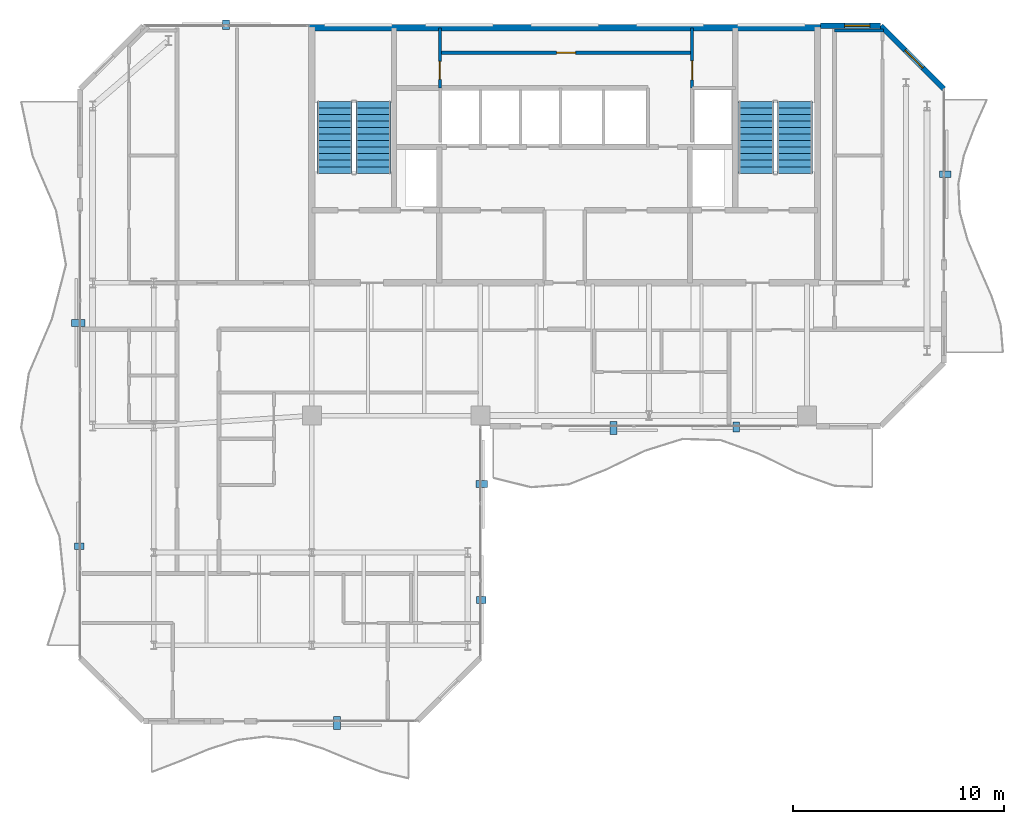
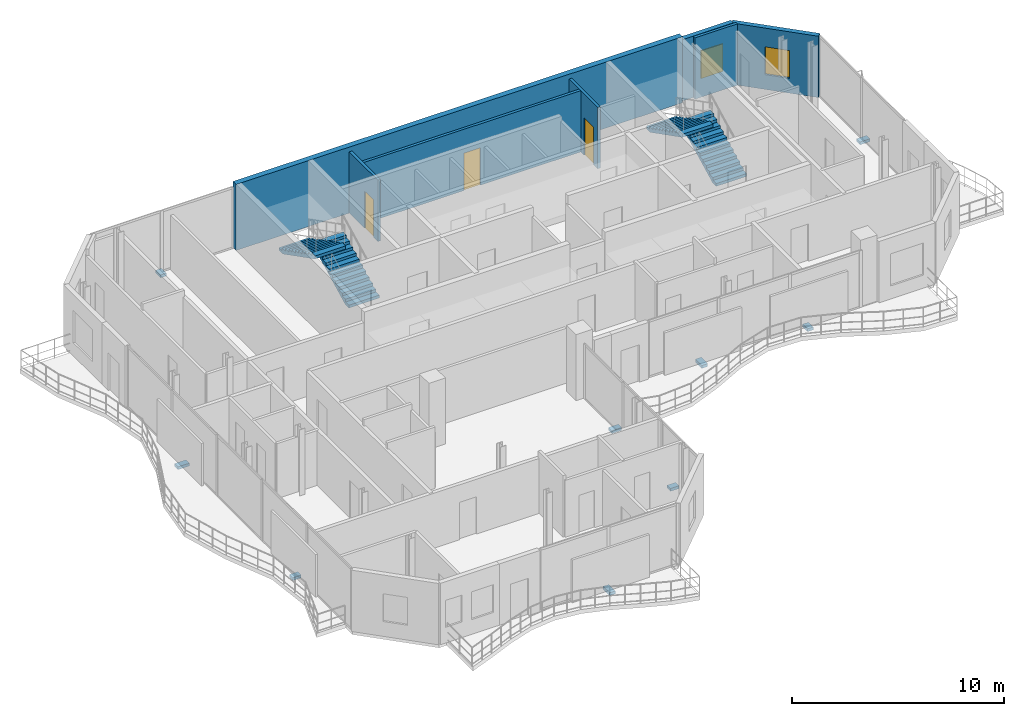
# One storey, part 20 of 23: 9 discrete accessories, 7 walls, 4 stair flights, 3 doors, 2 windows, 5 openings, 2 elements without a shape of their own.
"""IFC4 building model written with IfcOpenShell, lengths in metres."""

from ifc_helpers import new_model, si_unit, direction, frame, frame_2d, origin, origin_2d, place, context, subcontext, project, spatial, polyline, rectangle, outline, extrude, material, layer, layer_set, type_object, element, fill, aggregate, save


model = new_model("IFC4")

# Units and contexts
model_context = context("Model", 3, precision=1e-05, world=origin(), true_north=direction((0.0, 1.0)))
body_context = subcontext(model_context, "Body", "Model", "MODEL_VIEW")
ifc_project = project(units=[si_unit("LENGTHUNIT", "METRE"), si_unit("AREAUNIT", "SQUARE_METRE"), si_unit("VOLUMEUNIT", "CUBIC_METRE"), si_unit("PLANEANGLEUNIT", "RADIAN"), si_unit("MASSUNIT", "GRAM", prefix="KILO")], contexts=[model_context])

# Site, building, storey
site_placement = place(None, origin())
site = spatial("IfcSite", under=ifc_project, at=site_placement, CompositionType="ELEMENT")
building_placement = place(site_placement, origin())
building = spatial("IfcBuilding", under=site, at=building_placement, Name="Catumbela Crestline Tower", CompositionType="ELEMENT")
storey_placement = place(building_placement, frame((0.0, 0.0, 241.2)))
storey = spatial("IfcBuildingStorey", under=building, at=storey_placement, Name="L62", CompositionType="ELEMENT", Elevation=241.2)

# Wall
ifc_material_1 = material(Name="Concrete C45/55", Category="concrete")
ifc_layer_1 = layer(ifc_material_1, 0.3, Name="Concrete C45/55")
ifc_layer_set_1 = layer_set([ifc_layer_1], Name="Concrete C45/55")
wall_type_1 = type_object("IfcWallType", Name="CW-300E", PredefinedType="SHEAR", material=ifc_layer_set_1)
wall_1_placement = place(storey_placement, frame((15.85, 42.9, 0.0), z_axis=(0.0, 0.0, 1.0), x_axis=(1.0, 0.0, 0.0)))
element("IfcWall", 1, at=wall_1_placement, inside=storey, type_object=wall_type_1, Name="L62 Structural Core Shear Wall N", PredefinedType="SHEAR", context=body_context, shape_type="SweptSolid", body=[
    extrude(rectangle(XDim=24.3, YDim=0.3, at=frame_2d((12.15, 0.0))), origin(), (0.0, 0.0, 1.0), 3.8),
])

# Wall, opening, window
ifc_material_2 = material(Name="Angolan grey-ochre granite", Category="masonry")
ifc_layer_2 = layer(ifc_material_2, 0.25, Name="Angolan grey-ochre granite")
ifc_layer_set_2 = layer_set([ifc_layer_2], Name="Angolan grey-ochre granite")
wall_type_2 = type_object("IfcWallType", Name="WE-250", PredefinedType="STANDARD", material=ifc_layer_set_2)
wall_2_placement = place(storey_placement, frame((46.0, 40.0, 0.0), z_axis=(0.0, 0.0, 1.0), x_axis=(-0.707106781187, 0.707106781187, 0.0)))
wall_2 = element("IfcWall", 2, at=wall_2_placement, inside=storey, type_object=wall_type_2, Name="L62 Granite Punched Window Wall 6-1", PredefinedType="STANDARD", context=body_context, shape_type="SweptSolid", body=[
    extrude(rectangle(XDim=4.2426, YDim=0.25, at=frame_2d((2.1213, 0.0))), origin(), (0.0, 0.0, 1.0), 3.53),
])
opening_1_placement = place(wall_2_placement, frame((1.4111, 0.0, 0.85)))
opening_1 = element("IfcOpeningElement", 3, at=opening_1_placement, cuts=wall_2, Name="Opening WN-02", PredefinedType="OPENING", context=body_context, shape_type="SweptSolid", body=[
    extrude(rectangle(XDim=1.2, YDim=1.6, at=frame_2d((0.6, 0.8))), frame((0.0, 0.135, 0.0), z_axis=(0.0, -1.0, 0.0), x_axis=(1.0, 0.0, 0.0)), (0.0, 0.0, 1.0), 0.27),
])
ifc_material_3 = material(Name="Low-E laminated solar-control double glazing", Category="glass")
window_type = type_object("IfcWindowType", Name="WO-1200", PartitioningType="SINGLE_PANEL", PredefinedType="WINDOW", material=ifc_material_3)
window_1_placement = place(opening_1_placement, origin())
window_1 = element("IfcWindow", 4, at=window_1_placement, inside=storey, type_object=window_type, Name="L62 Facade Vision Window 460", OverallHeight=1.6, OverallWidth=1.2, PartitioningType="SINGLE_PANEL", PredefinedType="WINDOW", context=body_context, shape_type="SweptSolid", body=[
    extrude(rectangle(XDim=1.2, YDim=1.6, at=frame_2d((0.6, 0.8))), frame((0.0, 0.03, 0.0), z_axis=(0.0, -1.0, 0.0), x_axis=(1.0, 0.0, 0.0)), (0.0, 0.0, 1.0), 0.06),
])
fill(opening_1, window_1)

wall_3_placement = place(storey_placement, frame((43.0, 43.0, 0.0), z_axis=(0.0, 0.0, 1.0), x_axis=(-1.0, 0.0, 0.0)))
wall_3 = element("IfcWall", 5, at=wall_3_placement, inside=storey, type_object=wall_type_2, Name="L62 Granite Punched Window Wall 7-1", PredefinedType="STANDARD", context=body_context, shape_type="SweptSolid", body=[
    extrude(rectangle(XDim=2.86, YDim=0.25, at=frame_2d((1.43, 0.0))), origin(), (0.0, 0.0, 1.0), 3.53),
])
opening_2_placement = place(wall_3_placement, frame((0.51, 0.0, 0.85)))
opening_2 = element("IfcOpeningElement", 6, at=opening_2_placement, cuts=wall_3, Name="Opening WN-02", PredefinedType="OPENING", context=body_context, shape_type="SweptSolid", body=[
    extrude(rectangle(XDim=1.2, YDim=1.6, at=frame_2d((0.6, 0.8))), frame((0.0, 0.135, 0.0), z_axis=(0.0, -1.0, 0.0), x_axis=(1.0, 0.0, 0.0)), (0.0, 0.0, 1.0), 0.27),
])
window_2_placement = place(opening_2_placement, origin())
window_2 = element("IfcWindow", 7, at=window_2_placement, inside=storey, type_object=window_type, Name="L62 Facade Vision Window 461", OverallHeight=1.6, OverallWidth=1.2, PartitioningType="SINGLE_PANEL", PredefinedType="WINDOW", context=body_context, shape_type="SweptSolid", body=[
    extrude(rectangle(XDim=1.2, YDim=1.6, at=frame_2d((0.6, 0.8))), frame((0.0, 0.03, 0.0), z_axis=(0.0, -1.0, 0.0), x_axis=(1.0, 0.0, 0.0)), (0.0, 0.0, 1.0), 0.06),
])
fill(opening_2, window_2)

# Wall, opening, door
ifc_material_4 = material(Name="Acoustic gypsum and mineral-wool partition")
ifc_layer_3 = layer(ifc_material_4, 0.15, Name="Acoustic gypsum and mineral-wool partition")
ifc_layer_set_3 = layer_set([ifc_layer_3], Name="Acoustic gypsum and mineral-wool partition")
wall_type_3 = type_object("IfcWallType", Name="WP-150", PredefinedType="PARTITIONING", material=ifc_layer_set_3)
wall_4_placement = place(storey_placement, frame((34.05, 40.05, 0.0), z_axis=(0.0, 0.0, 1.0), x_axis=(0.0, 1.0, 0.0)))
wall_4 = element("IfcWall", 8, at=wall_4_placement, inside=storey, type_object=wall_type_3, Name="L62 Interior Partition PW-L62-CR-EW", PredefinedType="PARTITIONING", context=body_context, shape_type="SweptSolid", body=[
    extrude(rectangle(XDim=2.85, YDim=0.15, at=frame_2d((1.425, 0.0))), origin(), (0.0, 0.0, 1.0), 3.53),
])
opening_3_placement = place(wall_4_placement, frame((0.385, 0.0, 0.0)))
opening_3 = element("IfcOpeningElement", 9, at=opening_3_placement, cuts=wall_4, Name="Opening DF9-090", PredefinedType="OPENING", context=body_context, shape_type="SweptSolid", body=[
    extrude(rectangle(XDim=0.9, YDim=2.15, at=frame_2d((0.45, 1.075))), frame((0.0, 0.085, 0.0), z_axis=(0.0, -1.0, 0.0), x_axis=(1.0, 0.0, 0.0)), (0.0, 0.0, 1.0), 0.17),
])
ifc_material_5 = material(Name="Stainless steel EN 1.4401", Category="steel")
door_type_1 = type_object("IfcDoorType", Name="DF9-090", OperationType="NOTDEFINED", PredefinedType="DOOR", material=ifc_material_5)
door_1_placement = place(opening_3_placement, origin())
door_1 = element("IfcDoor", 10, at=door_1_placement, inside=storey, type_object=door_type_1, Name="L62 Interior Door DR-L62-CREAST", OperationType="SINGLE_SWING_RIGHT", OverallHeight=2.15, OverallWidth=0.9, PredefinedType="DOOR", context=body_context, shape_type="SweptSolid", body=[
    extrude(rectangle(XDim=0.9, YDim=2.15, at=frame_2d((0.45, 1.075))), frame((0.0, 0.025, 0.0), z_axis=(0.0, -1.0, 0.0), x_axis=(1.0, 0.0, 0.0)), (0.0, 0.0, 1.0), 0.05),
])
fill(opening_3, door_1)

wall_5_placement = place(storey_placement, frame((22.08, 40.05, 0.0), z_axis=(0.0, 0.0, 1.0), x_axis=(0.0, 1.0, 0.0)))
wall_5 = element("IfcWall", 11, at=wall_5_placement, inside=storey, type_object=wall_type_3, Name="L62 Interior Partition PW-L62-CR-WCW", PredefinedType="PARTITIONING", context=body_context, shape_type="SweptSolid", body=[
    extrude(rectangle(XDim=2.85, YDim=0.15, at=frame_2d((1.425, 0.0))), origin(), (0.0, 0.0, 1.0), 3.53),
])
opening_4_placement = place(wall_5_placement, frame((0.41, 0.0, 0.0)))
opening_4 = element("IfcOpeningElement", 12, at=opening_4_placement, cuts=wall_5, Name="Opening DI-085", PredefinedType="OPENING", context=body_context, shape_type="SweptSolid", body=[
    extrude(rectangle(XDim=0.85, YDim=2.15, at=frame_2d((0.425, 1.075))), frame((0.0, 0.085, 0.0), z_axis=(0.0, -1.0, 0.0), x_axis=(1.0, 0.0, 0.0)), (0.0, 0.0, 1.0), 0.17),
])
ifc_material_6 = material(Name="Aluminium alloy AW-6060-T66", Category="aluminium")
door_type_2 = type_object("IfcDoorType", Name="DI-085", OperationType="NOTDEFINED", PredefinedType="DOOR", material=ifc_material_6)
door_2_placement = place(opening_4_placement, origin())
door_2 = element("IfcDoor", 13, at=door_2_placement, inside=storey, type_object=door_type_2, Name="L62 Interior Door DR-L62-CRWC", OperationType="SINGLE_SWING_LEFT", OverallHeight=2.15, OverallWidth=0.85, PredefinedType="DOOR", context=body_context, shape_type="SweptSolid", body=[
    extrude(rectangle(XDim=0.85, YDim=2.15, at=frame_2d((0.425, 1.075))), frame((0.0, 0.025, 0.0), z_axis=(0.0, -1.0, 0.0), x_axis=(1.0, 0.0, 0.0)), (0.0, 0.0, 1.0), 0.05),
])
fill(opening_4, door_2)

wall_6_placement = place(storey_placement, frame((22.08, 41.72, 0.0), z_axis=(0.0, 0.0, 1.0), x_axis=(1.0, 0.0, 0.0)))
wall_6 = element("IfcWall", 14, at=wall_6_placement, inside=storey, type_object=wall_type_3, Name="L62 Interior Partition PW-L62-CR-MID", PredefinedType="PARTITIONING", context=body_context, shape_type="SweptSolid", body=[
    extrude(rectangle(XDim=11.97, YDim=0.15, at=frame_2d((5.985, 0.0))), origin(), (0.0, 0.0, 1.0), 3.53),
])
opening_5_placement = place(wall_6_placement, frame((5.535, 0.0, 0.0)))
opening_5 = element("IfcOpeningElement", 15, at=opening_5_placement, cuts=wall_6, Name="Opening DF9-090", PredefinedType="OPENING", context=body_context, shape_type="SweptSolid", body=[
    extrude(rectangle(XDim=0.9, YDim=2.15, at=frame_2d((0.45, 1.075))), frame((0.0, 0.085, 0.0), z_axis=(0.0, -1.0, 0.0), x_axis=(1.0, 0.0, 0.0)), (0.0, 0.0, 1.0), 0.17),
])
door_3_placement = place(opening_5_placement, origin())
door_3 = element("IfcDoor", 16, at=door_3_placement, inside=storey, type_object=door_type_1, Name="L62 Interior Door DR-L62-CRMID", OperationType="SINGLE_SWING_LEFT", OverallHeight=2.15, OverallWidth=0.9, PredefinedType="DOOR", context=body_context, shape_type="SweptSolid", body=[
    extrude(rectangle(XDim=0.9, YDim=2.15, at=frame_2d((0.45, 1.075))), frame((0.0, 0.025, 0.0), z_axis=(0.0, -1.0, 0.0), x_axis=(1.0, 0.0, 0.0)), (0.0, 0.0, 1.0), 0.05),
])
fill(opening_5, door_3)

# Wall
wall_7_placement = place(storey_placement, frame((40.8, 42.78, 0.0), z_axis=(0.0, 0.0, 1.0), x_axis=(1.0, 0.0, 0.0)))
element("IfcWall", 17, at=wall_7_placement, inside=storey, type_object=wall_type_3, Name="L62 Interior Partition PW-L62-NE1-BTH-BCL-2", PredefinedType="PARTITIONING", context=body_context, shape_type="SweptSolid", body=[
    extrude(rectangle(XDim=2.32, YDim=0.15, at=frame_2d((1.16, 0.0))), origin(), (0.0, 0.0, 1.0), 3.53),
])

# Stair, stair flights
stair_type = type_object("IfcStairType", Name="ST-DLG", PredefinedType="HALF_TURN_STAIR", material=ifc_material_1)
stair_1_placement = place(storey_placement, origin())
stair_1 = element("IfcStair", 18, at=stair_1_placement, inside=storey, type_object=stair_type, Name="L62 West Core Pressurised Exit Stair ST-01", PredefinedType="HALF_TURN_STAIR")
stair_flight_type = type_object("IfcStairFlightType", Name="SF-1583", PredefinedType="STRAIGHT", material=ifc_material_1)
stair_flight_1_placement = place(storey_placement, frame((18.92, 36.0, 0.0), z_axis=(0.0, 0.0, 1.0), x_axis=(0.0, 1.0, 0.0)))
stair_flight_1 = element("IfcStairFlight", 19, at=stair_flight_1_placement, type_object=stair_flight_type, Name="ST-01 flight 1", NumberOfRisers=12, NumberOfTreads=11, PredefinedType="STRAIGHT", RiserHeight=0.158333333, TreadLength=0.31, context=body_context, shape_type="SweptSolid", body=[
    extrude(outline(polyline([(0.0, 0.0), (0.0, 0.1583), (0.31, 0.1583), (0.31, 0.3167), (0.62, 0.3167), (0.62, 0.475), (0.93, 0.475), (0.93, 0.6333), (1.24, 0.6333), (1.24, 0.7917), (1.55, 0.7917), (1.55, 0.95), (1.86, 0.95), (1.86, 1.1083), (2.17, 1.1083), (2.17, 1.2667), (2.48, 1.2667), (2.48, 1.425), (2.79, 1.425), (2.79, 1.5833), (3.1, 1.5833), (3.1, 1.7417), (3.41, 1.7417), (3.41, 1.9), (3.41, 1.562), (0.3518, 0.0), (0.0, 0.0)])), frame((0.0, 0.83, 0.0), z_axis=(0.0, -1.0, 0.0), x_axis=(1.0, 0.0, 0.0)), (0.0, 0.0, 1.0), 1.66),
])
stair_flight_2_placement = place(storey_placement, frame((17.08, 39.41, 1.9), z_axis=(0.0, 0.0, 1.0), x_axis=(0.0, -1.0, 0.0)))
stair_flight_2 = element("IfcStairFlight", 20, at=stair_flight_2_placement, type_object=stair_flight_type, Name="ST-01 flight 2", NumberOfRisers=12, NumberOfTreads=11, PredefinedType="STRAIGHT", RiserHeight=0.158333333, TreadLength=0.31, context=body_context, shape_type="SweptSolid", body=[
    extrude(outline(polyline([(0.0, 0.0), (0.0, 0.1583), (0.31, 0.1583), (0.31, 0.3167), (0.62, 0.3167), (0.62, 0.475), (0.93, 0.475), (0.93, 0.6333), (1.24, 0.6333), (1.24, 0.7917), (1.55, 0.7917), (1.55, 0.95), (1.86, 0.95), (1.86, 1.1083), (2.17, 1.1083), (2.17, 1.2667), (2.48, 1.2667), (2.48, 1.425), (2.79, 1.425), (2.79, 1.5833), (3.1, 1.5833), (3.1, 1.7417), (3.41, 1.7417), (3.41, 1.9), (3.41, 1.562), (0.3518, 0.0), (0.0, 0.0)])), frame((0.0, 0.83, 0.0), z_axis=(0.0, -1.0, 0.0), x_axis=(1.0, 0.0, 0.0)), (0.0, 0.0, 1.0), 1.66),
])
aggregate(stair_1, [stair_flight_1, stair_flight_2])

stair_2_placement = place(storey_placement, origin())
stair_2 = element("IfcStair", 21, at=stair_2_placement, inside=storey, type_object=stair_type, Name="L62 East Core Pressurised Exit Stair ST-02", PredefinedType="HALF_TURN_STAIR")
stair_flight_3_placement = place(storey_placement, frame((38.92, 36.0, 0.0), z_axis=(0.0, 0.0, 1.0), x_axis=(0.0, 1.0, 0.0)))
stair_flight_3 = element("IfcStairFlight", 22, at=stair_flight_3_placement, type_object=stair_flight_type, Name="ST-02 flight 1", NumberOfRisers=12, NumberOfTreads=11, PredefinedType="STRAIGHT", RiserHeight=0.158333333, TreadLength=0.31, context=body_context, shape_type="SweptSolid", body=[
    extrude(outline(polyline([(0.0, 0.0), (0.0, 0.1583), (0.31, 0.1583), (0.31, 0.3167), (0.62, 0.3167), (0.62, 0.475), (0.93, 0.475), (0.93, 0.6333), (1.24, 0.6333), (1.24, 0.7917), (1.55, 0.7917), (1.55, 0.95), (1.86, 0.95), (1.86, 1.1083), (2.17, 1.1083), (2.17, 1.2667), (2.48, 1.2667), (2.48, 1.425), (2.79, 1.425), (2.79, 1.5833), (3.1, 1.5833), (3.1, 1.7417), (3.41, 1.7417), (3.41, 1.9), (3.41, 1.562), (0.3518, 0.0), (0.0, 0.0)])), frame((0.0, 0.83, 0.0), z_axis=(0.0, -1.0, 0.0), x_axis=(1.0, 0.0, 0.0)), (0.0, 0.0, 1.0), 1.66),
])
stair_flight_4_placement = place(storey_placement, frame((37.08, 39.41, 1.9), z_axis=(0.0, 0.0, 1.0), x_axis=(0.0, -1.0, 0.0)))
stair_flight_4 = element("IfcStairFlight", 23, at=stair_flight_4_placement, type_object=stair_flight_type, Name="ST-02 flight 2", NumberOfRisers=12, NumberOfTreads=11, PredefinedType="STRAIGHT", RiserHeight=0.158333333, TreadLength=0.31, context=body_context, shape_type="SweptSolid", body=[
    extrude(outline(polyline([(0.0, 0.0), (0.0, 0.1583), (0.31, 0.1583), (0.31, 0.3167), (0.62, 0.3167), (0.62, 0.475), (0.93, 0.475), (0.93, 0.6333), (1.24, 0.6333), (1.24, 0.7917), (1.55, 0.7917), (1.55, 0.95), (1.86, 0.95), (1.86, 1.1083), (2.17, 1.1083), (2.17, 1.2667), (2.48, 1.2667), (2.48, 1.425), (2.79, 1.425), (2.79, 1.5833), (3.1, 1.5833), (3.1, 1.7417), (3.41, 1.7417), (3.41, 1.9), (3.41, 1.562), (0.3518, 0.0), (0.0, 0.0)])), frame((0.0, 0.83, 0.0), z_axis=(0.0, -1.0, 0.0), x_axis=(1.0, 0.0, 0.0)), (0.0, 0.0, 1.0), 1.66),
])
aggregate(stair_2, [stair_flight_3, stair_flight_4])

# Discrete accessories
discrete_accessory_type = type_object("IfcDiscreteAccessoryType", Name="BK-SS1", PredefinedType="BRACKET", material=ifc_material_5)
discrete_accessory_1_placement = place(storey_placement, frame((17.2, 9.915, -0.18), z_axis=(0.0, 0.0, 1.0), x_axis=(1.0, 0.0, 0.0)))
element("IfcDiscreteAccessory", 24, at=discrete_accessory_1_placement, inside=storey, type_object=discrete_accessory_type, Name="L62 Solar Screen Stainless Bracket 745", PredefinedType="BRACKET", context=body_context, shape_type="SweptSolid", body=[
    extrude(rectangle(XDim=0.32, YDim=0.62, at=origin_2d()), origin(), (0.0, 0.0, 1.0), 0.16),
])
discrete_accessory_2_placement = place(storey_placement, frame((24.045, 15.75, -0.18), z_axis=(0.0, 0.0, 1.0), x_axis=(0.0, 1.0, 0.0)))
element("IfcDiscreteAccessory", 25, at=discrete_accessory_2_placement, inside=storey, type_object=discrete_accessory_type, Name="L62 Solar Screen Stainless Bracket 746", PredefinedType="BRACKET", context=body_context, shape_type="SweptSolid", body=[
    extrude(rectangle(XDim=0.32, YDim=0.46, at=origin_2d()), origin(), (0.0, 0.0, 1.0), 0.16),
])
discrete_accessory_3_placement = place(storey_placement, frame((24.065, 21.25, -0.18), z_axis=(0.0, 0.0, 1.0), x_axis=(0.0, 1.0, 0.0)))
element("IfcDiscreteAccessory", 26, at=discrete_accessory_3_placement, inside=storey, type_object=discrete_accessory_type, Name="L62 Solar Screen Stainless Bracket 747", PredefinedType="BRACKET", context=body_context, shape_type="SweptSolid", body=[
    extrude(rectangle(XDim=0.32, YDim=0.54, at=origin_2d()), origin(), (0.0, 0.0, 1.0), 0.16),
])
discrete_accessory_4_placement = place(storey_placement, frame((30.3125, 23.915, -0.18), z_axis=(0.0, 0.0, 1.0), x_axis=(1.0, 0.0, 0.0)))
element("IfcDiscreteAccessory", 27, at=discrete_accessory_4_placement, inside=storey, type_object=discrete_accessory_type, Name="L62 Solar Screen Stainless Bracket 748", PredefinedType="BRACKET", context=body_context, shape_type="SweptSolid", body=[
    extrude(rectangle(XDim=0.32, YDim=0.62, at=origin_2d()), origin(), (0.0, 0.0, 1.0), 0.16),
])
discrete_accessory_5_placement = place(storey_placement, frame((36.1375, 23.955, -0.18), z_axis=(0.0, 0.0, 1.0), x_axis=(1.0, 0.0, 0.0)))
element("IfcDiscreteAccessory", 28, at=discrete_accessory_5_placement, inside=storey, type_object=discrete_accessory_type, Name="L62 Solar Screen Stainless Bracket 749", PredefinedType="BRACKET", context=body_context, shape_type="SweptSolid", body=[
    extrude(rectangle(XDim=0.32, YDim=0.46, at=origin_2d()), origin(), (0.0, 0.0, 1.0), 0.16),
])
discrete_accessory_6_placement = place(storey_placement, frame((46.065, 35.95, -0.18), z_axis=(0.0, 0.0, 1.0), x_axis=(0.0, 1.0, 0.0)))
element("IfcDiscreteAccessory", 29, at=discrete_accessory_6_placement, inside=storey, type_object=discrete_accessory_type, Name="L62 Solar Screen Stainless Bracket 750", PredefinedType="BRACKET", context=body_context, shape_type="SweptSolid", body=[
    extrude(rectangle(XDim=0.32, YDim=0.54, at=origin_2d()), origin(), (0.0, 0.0, 1.0), 0.16),
])
discrete_accessory_7_placement = place(storey_placement, frame((11.93, 43.045, -0.18), z_axis=(0.0, 0.0, 1.0), x_axis=(-1.0, 0.0, 0.0)))
element("IfcDiscreteAccessory", 30, at=discrete_accessory_7_placement, inside=storey, type_object=discrete_accessory_type, Name="L62 Solar Screen Stainless Bracket 751", PredefinedType="BRACKET", context=body_context, shape_type="SweptSolid", body=[
    extrude(rectangle(XDim=0.32, YDim=0.46, at=origin_2d()), origin(), (0.0, 0.0, 1.0), 0.16),
])
discrete_accessory_8_placement = place(storey_placement, frame((4.915, 28.9, -0.18), z_axis=(0.0, 0.0, 1.0), x_axis=(0.0, -1.0, 0.0)))
element("IfcDiscreteAccessory", 31, at=discrete_accessory_8_placement, inside=storey, type_object=discrete_accessory_type, Name="L62 Solar Screen Stainless Bracket 752", PredefinedType="BRACKET", context=body_context, shape_type="SweptSolid", body=[
    extrude(rectangle(XDim=0.32, YDim=0.62, at=origin_2d()), origin(), (0.0, 0.0, 1.0), 0.16),
])
discrete_accessory_9_placement = place(storey_placement, frame((4.955, 18.3, -0.18), z_axis=(0.0, 0.0, 1.0), x_axis=(0.0, -1.0, 0.0)))
element("IfcDiscreteAccessory", 32, at=discrete_accessory_9_placement, inside=storey, type_object=discrete_accessory_type, Name="L62 Solar Screen Stainless Bracket 753", PredefinedType="BRACKET", context=body_context, shape_type="SweptSolid", body=[
    extrude(rectangle(XDim=0.32, YDim=0.46, at=origin_2d()), origin(), (0.0, 0.0, 1.0), 0.16),
])

save(model, "model.ifc")
